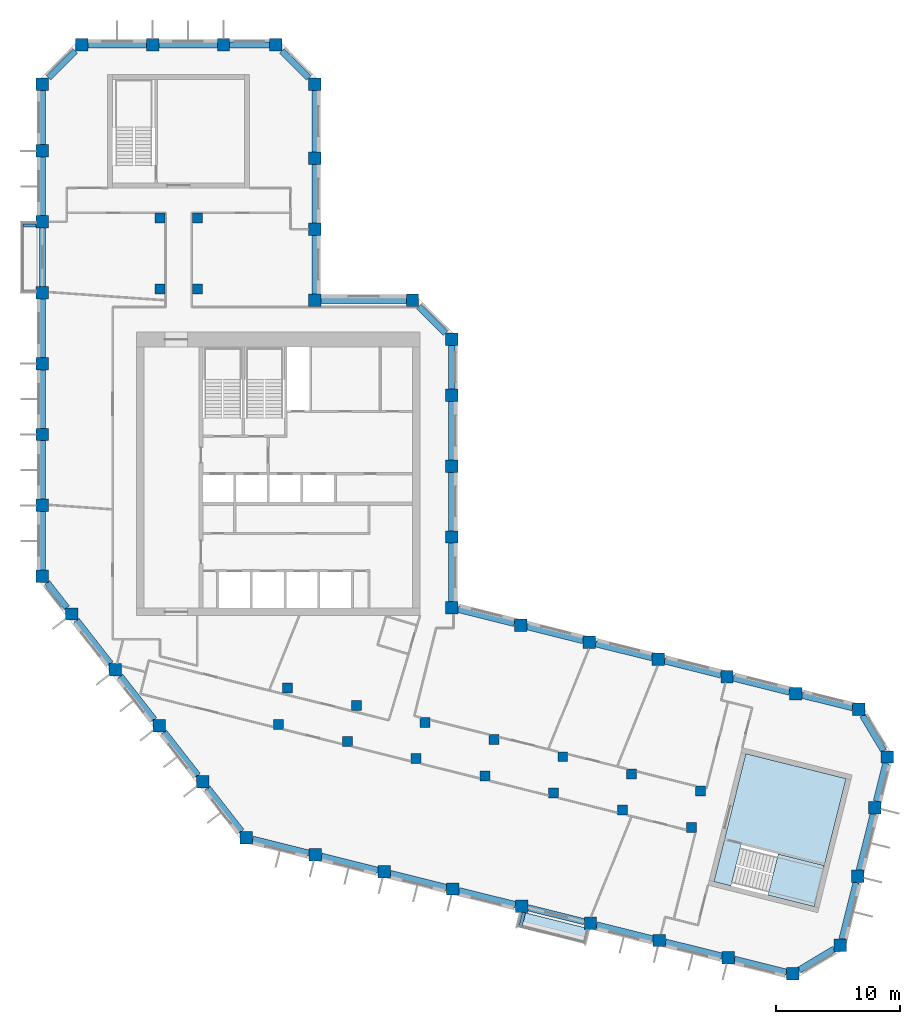
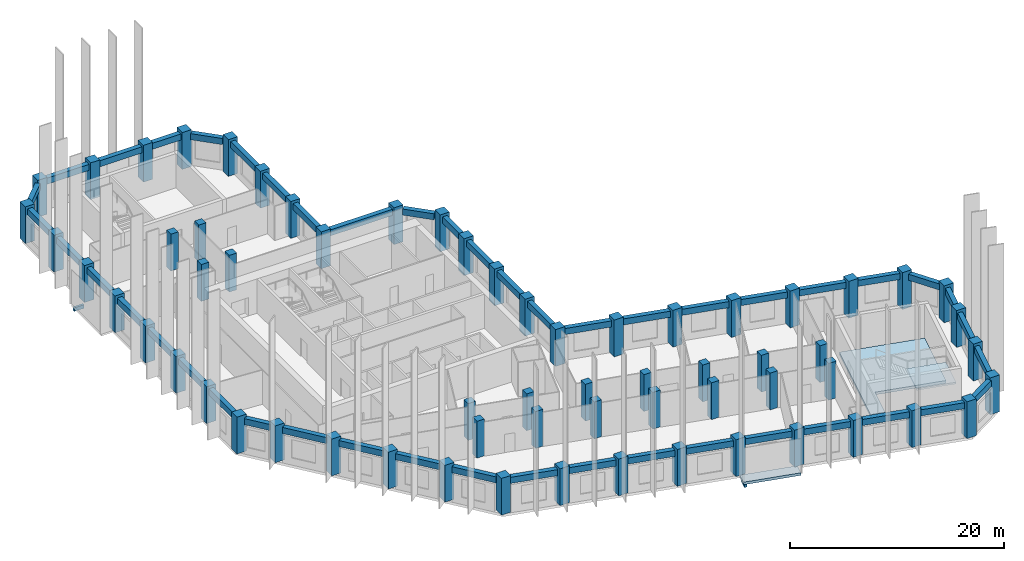
# One storey, part 1 of 9: 63 columns, 47 beams, 3 slabs, 1 element without a shape of its own.
"""IFC4 building model written with IfcOpenShell, lengths in metres."""

from ifc_helpers import new_model, si_unit, direction, frame, origin, origin_2d, place, context, subcontext, project, spatial, polyline, rectangle, outline, extrude, material, layer, layer_set, material_profile, profile_set, type_object, element, aggregate, save


model = new_model("IFC4")

# Units and contexts
model_context = context("Model", 3, precision=1e-05, world=origin(), true_north=direction((0.0, 1.0)))
body_context = subcontext(model_context, "Body", "Model", "MODEL_VIEW")
ifc_project = project(units=[si_unit("LENGTHUNIT", "METRE"), si_unit("AREAUNIT", "SQUARE_METRE"), si_unit("VOLUMEUNIT", "CUBIC_METRE"), si_unit("PLANEANGLEUNIT", "RADIAN"), si_unit("MASSUNIT", "GRAM", prefix="KILO")], contexts=[model_context])

# Site, building, storey
site_placement = place(None, origin())
site = spatial("IfcSite", under=ifc_project, at=site_placement, CompositionType="ELEMENT")
building_placement = place(site_placement, origin())
building = spatial("IfcBuilding", under=site, at=building_placement, Name="Meshkara Civic Tower", CompositionType="ELEMENT")
storey_placement = place(building_placement, frame((0.0, 0.0, 306.60009765625)))
storey = spatial("IfcBuildingStorey", under=building, at=storey_placement, Name="L70", CompositionType="ELEMENT", Elevation=306.60009765625)

# Columns
ifc_material_1 = material(Name="Concrete C60", Category="concrete")
ifc_material_profile_1 = material_profile(ifc_material_1, rectangle(XDim=0.800048828125, YDim=0.800048828125, at=origin_2d()))
ifc_profile_set_1 = profile_set([ifc_material_profile_1], Name="Concrete C60")
column_type_1 = type_object("IfcColumnType", Name="Interior column RC 800x800 C60", PredefinedType="COLUMN", material=ifc_profile_set_1)
for number, where, z_axis, x_axis, name in (
    (1, (9.89990234375, 40.35009765625, 0.0), (0.0, 0.0, 1.0), (1.0, 0.0, 0.0), "Column SA1-04 L70"),
    (2, (9.89990234375, 46.050048828125, 0.0), (0.0, 0.0, 1.0), (1.0, 0.0, 0.0), "Column SA1-05 L70"),
    (3, (12.89990234375, 40.35009765625, 0.0), (0.0, 0.0, 1.0), (1.0, 0.0, 0.0), "Column SA2-04 L70"),
    (4, (12.89990234375, 46.050048828125, 0.0), (0.0, 0.0, 1.0), (1.0, 0.0, 0.0), "Column SA2-05 L70"),
    (5, (19.424072265625, 5.360107421875, 0.0), (0.0, 0.0, 1.0), (1.0, 0.0, 0.0), "Column SB1-00 L70"),
    (6, (24.9541015625, 3.98095703125, 0.0), (0.0, 0.0, 1.0), (1.0, 0.0, 0.0), "Column SB1-01 L70"),
    (7, (30.485107421875, 2.60205078125, 0.0), (0.0, 0.0, 1.0), (1.0, 0.0, 0.0), "Column SB1-02 L70"),
    (8, (36.01611328125, 1.222900390625, 0.0), (0.0, 0.0, 1.0), (1.0, 0.0, 0.0), "Column SB1-03 L70"),
    (9, (41.5458984375, -0.156005859375, 0.0), (0.0, 0.0, 1.0), (1.0, 0.0, 0.0), "Column SB1-04 L70"),
    (10, (47.076904296875, -1.534912109375, 0.0), (0.0, 0.0, 1.0), (1.0, 0.0, 0.0), "Column SB1-05 L70"),
    (11, (52.60791015625, -2.9140625, 0.0), (0.0, 0.0, 1.0), (1.0, 0.0, 0.0), "Column SB1-06 L70"),
    (12, (20.14892578125, 8.27099609375, 0.0), (0.0, 0.0, 1.0), (1.0, 0.0, 0.0), "Column SB2-00 L70"),
    (13, (25.679931640625, 6.89208984375, 0.0), (0.0, 0.0, 1.0), (1.0, 0.0, 0.0), "Column SB2-01 L70"),
    (14, (31.2109375, 5.512939453125, 0.0), (0.0, 0.0, 1.0), (1.0, 0.0, 0.0), "Column SB2-02 L70"),
    (15, (36.741943359375, 4.134033203125, 0.0), (0.0, 0.0, 1.0), (1.0, 0.0, 0.0), "Column SB2-03 L70"),
    (16, (42.27197265625, 2.7548828125, 0.0), (0.0, 0.0, 1.0), (1.0, 0.0, 0.0), "Column SB2-04 L70"),
    (17, (47.802978515625, 1.3759765625, 0.0), (0.0, 0.0, 1.0), (1.0, 0.0, 0.0), "Column SB2-05 L70"),
    (18, (53.333984375, -0.0029296875, 0.0), (0.0, 0.0, 1.0), (1.0, 0.0, 0.0), "Column SB2-06 L70"),
):
    element("IfcColumn", number, at=place(storey_placement, frame(where, z_axis=z_axis, x_axis=x_axis)), inside=storey, type_object=column_type_1, Name=name, PredefinedType="COLUMN", context=body_context, shape_type="SweptSolid", body=[
        extrude(rectangle(XDim=0.800048828125, YDim=0.800048828125, at=origin_2d()), origin(), (0.0, 0.0, 1.0), 4.199951171875),
    ])
ifc_material_2 = material(Name="Concrete C60", Category="concrete")
ifc_material_profile_2 = material_profile(ifc_material_2, rectangle(XDim=1.0, YDim=1.0, at=origin_2d()))
ifc_profile_set_2 = profile_set([ifc_material_profile_2], Name="Concrete C60")
column_type_2 = type_object("IfcColumnType", Name="Perimeter column RC 1000x1000 C60", PredefinedType="COLUMN", material=ifc_profile_set_2)
for number, where, z_axis, x_axis, name in (
    (19, (33.35009765625, 14.718994140625, 0.0), (0.0, 0.0, 1.0), (1.0, 0.0, 0.0), "Column HE00 L70"),
    (20, (33.35009765625, 20.4189453125, 0.0), (0.0, 0.0, 1.0), (1.0, 0.0, 0.0), "Column HE01 L70"),
    (21, (33.35009765625, 26.118896484375, 0.0), (0.0, 0.0, 1.0), (1.0, 0.0, 0.0), "Column HE02 L70"),
    (22, (33.35009765625, 31.819091796875, 0.0), (0.0, 0.0, 1.0), (1.0, 0.0, 0.0), "Column HE03 L70"),
    (23, (33.35009765625, 36.2939453125, 0.0), (0.0, 0.0, 1.0), (1.0, 0.0, 0.0), "Column HEE L70"),
    (24, (30.194091796875, 39.449951171875, 0.0), (0.0, 0.0, 1.0), (1.0, 0.0, 0.0), "Column HCeE L70"),
    (25, (22.35009765625, 39.449951171875, 0.0), (0.0, 0.0, 1.0), (1.0, 0.0, 0.0), "Column HN00 L70"),
    (26, (22.35009765625, 45.14990234375, 0.0), (0.0, 0.0, 1.0), (1.0, 0.0, 0.0), "Column AE01 L70"),
    (27, (22.35009765625, 50.85009765625, 0.0), (0.0, 0.0, 1.0), (1.0, 0.0, 0.0), "Column AE02 L70"),
    (28, (22.35009765625, 56.81396484375, 0.0), (0.0, 0.0, 1.0), (1.0, 0.0, 0.0), "Column AEEP4 L70"),
    (29, (19.194091796875, 59.969970703125, 0.0), (0.0, 0.0, 1.0), (1.0, 0.0, 0.0), "Column ATiEP4 L70"),
    (30, (3.60595703125, 59.969970703125, 0.0), (0.0, 0.0, 1.0), (1.0, 0.0, 0.0), "Column AT00-P4 L70"),
    (31, (9.305908203125, 59.969970703125, 0.0), (0.0, 0.0, 1.0), (1.0, 0.0, 0.0), "Column AT01-P4 L70"),
    (32, (15.006103515625, 59.969970703125, 0.0), (0.0, 0.0, 1.0), (1.0, 0.0, 0.0), "Column AT02-P4 L70"),
    (33, (0.449951171875, 56.81396484375, 0.0), (0.0, 0.0, 1.0), (1.0, 0.0, 0.0), "Column ATo00-P4 L70"),
    (34, (0.449951171875, 17.2548828125, 0.0), (0.0, 0.0, 1.0), (1.0, 0.0, 0.0), "Column AW00 L70"),
    (35, (0.449951171875, 22.955078125, 0.0), (0.0, 0.0, 1.0), (1.0, 0.0, 0.0), "Column AW01 L70"),
    (36, (0.449951171875, 28.655029296875, 0.0), (0.0, 0.0, 1.0), (1.0, 0.0, 0.0), "Column AW02 L70"),
    (37, (0.449951171875, 34.35498046875, 0.0), (0.0, 0.0, 1.0), (1.0, 0.0, 0.0), "Column AW03 L70"),
    (38, (0.449951171875, 40.054931640625, 0.0), (0.0, 0.0, 1.0), (1.0, 0.0, 0.0), "Column AW04 L70"),
    (39, (0.449951171875, 45.7548828125, 0.0), (0.0, 0.0, 1.0), (1.0, 0.0, 0.0), "Column AW05 L70"),
    (40, (0.449951171875, 51.455078125, 0.0), (0.0, 0.0, 1.0), (1.0, 0.0, 0.0), "Column AW06 L70"),
    (41, (16.85107421875, -3.738037109375, 0.0), (0.0, 0.0, 1.0), (1.0, 0.0, 0.0), "Column BOW00 L70"),
    (42, (13.342041015625, 0.75390625, 0.0), (0.0, 0.0, 1.0), (1.0, 0.0, 0.0), "Column BOW01 L70"),
    (43, (9.8330078125, 5.2451171875, 0.0), (0.0, 0.0, 1.0), (1.0, 0.0, 0.0), "Column BOW02 L70"),
    (44, (6.322998046875, 9.737060546875, 0.0), (0.0, 0.0, 1.0), (1.0, 0.0, 0.0), "Column BOW03 L70"),
    (45, (2.81396484375, 14.22900390625, 0.0), (0.0, 0.0, 1.0), (1.0, 0.0, 0.0), "Column BOW04 L70"),
    (46, (22.382080078125, -5.116943359375, 0.0), (0.0, 0.0, 1.0), (1.0, 0.0, 0.0), "Column BS01 L70"),
    (47, (27.912109375, -6.49609375, 0.0), (0.0, 0.0, 1.0), (1.0, 0.0, 0.0), "Column BS02 L70"),
    (48, (33.443115234375, -7.875, 0.0), (0.0, 0.0, 1.0), (1.0, 0.0, 0.0), "Column BS03 L70"),
    (49, (38.97412109375, -9.25390625, 0.0), (0.0, 0.0, 1.0), (1.0, 0.0, 0.0), "Column BS04 L70"),
    (50, (44.50390625, -10.633056640625, 0.0), (0.0, 0.0, 1.0), (1.0, 0.0, 0.0), "Column BS05-P4 L70"),
    (51, (50.034912109375, -12.011962890625, 0.0), (0.0, 0.0, 1.0), (1.0, 0.0, 0.0), "Column BS06-P4 L70"),
    (52, (55.56591796875, -13.389892578125, 0.0), (0.0, 0.0, 1.0), (1.0, 0.0, 0.0), "Column BS07 L70"),
    (53, (60.76611328125, -14.68701171875, 0.0), (0.0, 0.0, 1.0), (1.0, 0.0, 0.0), "Column BSEP4 L70"),
    (54, (64.591064453125, -12.386962890625, 0.0), (0.0, 0.0, 1.0), (1.0, 0.0, 0.0), "Column BToEP4 L70"),
    (55, (65.969970703125, -6.85595703125, 0.0), (0.0, 0.0, 1.0), (1.0, 0.0, 0.0), "Column BT01-P4 L70"),
    (56, (67.34912109375, -1.325927734375, 0.0), (0.0, 0.0, 1.0), (1.0, 0.0, 0.0), "Column BT02-P4 L70"),
    (57, (68.362060546875, 2.736083984375, 0.0), (0.0, 0.0, 1.0), (1.0, 0.0, 0.0), "Column BTEP4 L70"),
    (58, (66.06298828125, 6.56201171875, 0.0), (0.0, 0.0, 1.0), (1.0, 0.0, 0.0), "Column BTi00-P4 L70"),
    (59, (38.881103515625, 13.340087890625, 0.0), (0.0, 0.0, 1.0), (1.0, 0.0, 0.0), "Column BN01 L70"),
    (60, (44.410888671875, 11.9609375, 0.0), (0.0, 0.0, 1.0), (1.0, 0.0, 0.0), "Column BN02 L70"),
    (61, (49.94189453125, 10.58203125, 0.0), (0.0, 0.0, 1.0), (1.0, 0.0, 0.0), "Column BN03 L70"),
    (62, (55.472900390625, 9.202880859375, 0.0), (0.0, 0.0, 1.0), (1.0, 0.0, 0.0), "Column BN04 L70"),
    (63, (61.0029296875, 7.823974609375, 0.0), (0.0, 0.0, 1.0), (1.0, 0.0, 0.0), "Column BN05 L70"),
):
    element("IfcColumn", number, at=place(storey_placement, frame(where, z_axis=z_axis, x_axis=x_axis)), inside=storey, type_object=column_type_2, Name=name, PredefinedType="COLUMN", context=body_context, shape_type="SweptSolid", body=[
        extrude(rectangle(XDim=1.0, YDim=1.0, at=origin_2d()), origin(), (0.0, 0.0, 1.0), 4.199951171875),
    ])

# Beams
ifc_material_3 = material(Name="Concrete C50", Category="concrete")
ifc_material_profile_3 = material_profile(ifc_material_3, rectangle(XDim=0.25, YDim=0.39990234375, at=origin_2d()))
ifc_profile_set_3 = profile_set([ifc_material_profile_3], Name="Concrete C50")
beam_type_1 = type_object("IfcBeamType", Name="Balcony bracket beam RC 250x400 C50", PredefinedType="BEAM", material=ifc_profile_set_3)
beam_1_placement = place(storey_placement, frame((-0.044921875, 45.455078125, -0.5), z_axis=(-1.0, 0.0, 0.0), x_axis=(0.0, -1.0, 0.0)))
element("IfcBeam", 64, at=beam_1_placement, inside=storey, type_object=beam_type_1, Name="Balcony bracket beam", PredefinedType="BEAM", context=body_context, shape_type="SweptSolid", body=[
    extrude(rectangle(XDim=0.25, YDim=0.39990234375, at=origin_2d()), origin(), (0.0, 0.0, 1.0), 1.05517578125),
])
beam_2_placement = place(storey_placement, frame((39.159912109375, -9.7490234375, -0.5), z_axis=(-0.242329403705, -0.970194032192, 0.0), x_axis=(0.970194032192, -0.242329403705, 0.0)))
element("IfcBeam", 65, at=beam_2_placement, inside=storey, type_object=beam_type_1, Name="Balcony bracket beam", PredefinedType="BEAM", context=body_context, shape_type="SweptSolid", body=[
    extrude(rectangle(XDim=0.25, YDim=0.39990234375, at=origin_2d()), origin(), (0.0, 0.0, 1.0), 1.1142578125),
])
ifc_material_4 = material(Name="Concrete C50", Category="concrete")
ifc_material_profile_4 = material_profile(ifc_material_4, rectangle(XDim=0.5, YDim=0.699951171875, at=origin_2d()))
ifc_profile_set_4 = profile_set([ifc_material_profile_4], Name="Concrete C50")
beam_type_2 = type_object("IfcBeamType", Name="Spandrel beam RC 500x700 C50", PredefinedType="BEAM", material=ifc_profile_set_4)
beam_3_placement = place(storey_placement, frame((60.5078125, 7.947509765625, 3.5498046875), z_axis=(-0.970286590806, 0.241958533023, 0.0), x_axis=(-0.241958533023, -0.970286590806, 0.0)))
element("IfcBeam", 66, at=beam_3_placement, inside=storey, type_object=beam_type_2, Name="Spandrel beam BN04-BN05", PredefinedType="BEAM", context=body_context, shape_type="SweptSolid", body=[
    extrude(rectangle(XDim=0.5, YDim=0.699951171875, at=origin_2d()), origin(), (0.0, 0.0, 1.0), 4.6787109375),
])
beam_4_placement = place(storey_placement, frame((54.977783203125, 9.326416015625, 3.5498046875), z_axis=(-0.970298806378, 0.241909541651, 0.0), x_axis=(-0.241909541651, -0.970298806378, 0.0)))
element("IfcBeam", 67, at=beam_4_placement, inside=storey, type_object=beam_type_2, Name="Spandrel beam BN03-BN04", PredefinedType="BEAM", context=body_context, shape_type="SweptSolid", body=[
    extrude(rectangle(XDim=0.5, YDim=0.699951171875, at=origin_2d()), origin(), (0.0, 0.0, 1.0), 4.6796875),
])
beam_5_placement = place(storey_placement, frame((49.447021484375, 10.70556640625, 3.5498046875), z_axis=(-0.970314102262, 0.241848181618, 0.0), x_axis=(-0.241848181618, -0.970314102262, 0.0)))
element("IfcBeam", 68, at=beam_5_placement, inside=storey, type_object=beam_type_2, Name="Spandrel beam BN02-BN03", PredefinedType="BEAM", context=body_context, shape_type="SweptSolid", body=[
    extrude(rectangle(XDim=0.5, YDim=0.699951171875, at=origin_2d()), origin(), (0.0, 0.0, 1.0), 4.679931640625),
])
beam_6_placement = place(storey_placement, frame((43.916015625, 12.08447265625, 3.5498046875), z_axis=(-0.970286590806, 0.241958533023, 0.0), x_axis=(-0.241958533023, -0.970286590806, 0.0)))
element("IfcBeam", 69, at=beam_6_placement, inside=storey, type_object=beam_type_2, Name="Spandrel beam BN01-BN02", PredefinedType="BEAM", context=body_context, shape_type="SweptSolid", body=[
    extrude(rectangle(XDim=0.5, YDim=0.699951171875, at=origin_2d()), origin(), (0.0, 0.0, 1.0), 4.6787109375),
])
beam_7_placement = place(storey_placement, frame((38.385986328125, 13.46337890625, 3.5498046875), z_axis=(-0.970298806378, 0.241909541651, 0.0), x_axis=(-0.241909541651, -0.970298806378, 0.0)))
element("IfcBeam", 70, at=beam_7_placement, inside=storey, type_object=beam_type_2, Name="Spandrel beam BN01-HE00", PredefinedType="BEAM", context=body_context, shape_type="SweptSolid", body=[
    extrude(rectangle(XDim=0.5, YDim=0.699951171875, at=origin_2d()), origin(), (0.0, 0.0, 1.0), 4.6796875),
])
for number, where, z_axis, x_axis, name in (
    (71, (33.35009765625, 15.214111328125, 3.5498046875), (0.0, 1.0, 0.0), (-1.0, 0.0, 0.0), "Spandrel beam HE00-HE01"),
    (72, (33.35009765625, 20.9140625, 3.5498046875), (0.0, 1.0, 0.0), (-1.0, 0.0, 0.0), "Spandrel beam HE01-HE02"),
    (73, (33.35009765625, 26.614013671875, 3.5498046875), (0.0, 1.0, 0.0), (-1.0, 0.0, 0.0), "Spandrel beam HE02-HE03"),
):
    element("IfcBeam", number, at=place(storey_placement, frame(where, z_axis=z_axis, x_axis=x_axis)), inside=storey, type_object=beam_type_2, Name=name, PredefinedType="BEAM", context=body_context, shape_type="SweptSolid", body=[
        extrude(rectangle(XDim=0.5, YDim=0.699951171875, at=origin_2d()), origin(), (0.0, 0.0, 1.0), 4.7099609375),
    ])
beam_8_placement = place(storey_placement, frame((33.35009765625, 32.31396484375, 3.5498046875), z_axis=(0.0, 1.0, 0.0), x_axis=(-1.0, 0.0, 0.0)))
element("IfcBeam", 74, at=beam_8_placement, inside=storey, type_object=beam_type_2, Name="Spandrel beam HE03-HEE", PredefinedType="BEAM", context=body_context, shape_type="SweptSolid", body=[
    extrude(rectangle(XDim=0.5, YDim=0.699951171875, at=origin_2d()), origin(), (0.0, 0.0, 1.0), 3.485107421875),
])
beam_9_placement = place(storey_placement, frame((32.853515625, 36.79052734375, 3.5498046875), z_axis=(-0.707106781187, 0.707106781187, 0.0), x_axis=(-0.707106781187, -0.707106781187, 0.0)))
element("IfcBeam", 75, at=beam_9_placement, inside=storey, type_object=beam_type_2, Name="Spandrel beam HCeE-HEE", PredefinedType="BEAM", context=body_context, shape_type="SweptSolid", body=[
    extrude(rectangle(XDim=0.5, YDim=0.699951171875, at=origin_2d()), origin(), (0.0, 0.0, 1.0), 3.05908203125),
])
beam_10_placement = place(storey_placement, frame((29.698974609375, 39.449951171875, 3.5498046875), z_axis=(-1.0, 0.0, 0.0), x_axis=(0.0, -1.0, 0.0)))
element("IfcBeam", 76, at=beam_10_placement, inside=storey, type_object=beam_type_2, Name="Spandrel beam HCeE-HN00", PredefinedType="BEAM", context=body_context, shape_type="SweptSolid", body=[
    extrude(rectangle(XDim=0.5, YDim=0.699951171875, at=origin_2d()), origin(), (0.0, 0.0, 1.0), 6.85400390625),
])
for number, where, z_axis, x_axis, name in (
    (77, (22.35009765625, 39.945068359375, 3.5498046875), (0.0, 1.0, 0.0), (-1.0, 0.0, 0.0), "Spandrel beam AE01-HN00"),
    (78, (22.35009765625, 45.64501953125, 3.5498046875), (0.0, 1.0, 0.0), (-1.0, 0.0, 0.0), "Spandrel beam AE01-AE02"),
):
    element("IfcBeam", number, at=place(storey_placement, frame(where, z_axis=z_axis, x_axis=x_axis)), inside=storey, type_object=beam_type_2, Name=name, PredefinedType="BEAM", context=body_context, shape_type="SweptSolid", body=[
        extrude(rectangle(XDim=0.5, YDim=0.699951171875, at=origin_2d()), origin(), (0.0, 0.0, 1.0), 4.7099609375),
    ])
beam_11_placement = place(storey_placement, frame((22.35009765625, 51.344970703125, 3.5498046875), z_axis=(0.0, 1.0, 0.0), x_axis=(-1.0, 0.0, 0.0)))
element("IfcBeam", 79, at=beam_11_placement, inside=storey, type_object=beam_type_2, Name="Spandrel beam AE02-AEEP4", PredefinedType="BEAM", context=body_context, shape_type="SweptSolid", body=[
    extrude(rectangle(XDim=0.5, YDim=0.699951171875, at=origin_2d()), origin(), (0.0, 0.0, 1.0), 4.97412109375),
])
beam_12_placement = place(storey_placement, frame((21.853515625, 57.310546875, 3.5498046875), z_axis=(-0.707146686758, 0.707066873363, 0.0), x_axis=(-0.707066873363, -0.707146686758, 0.0)))
element("IfcBeam", 80, at=beam_12_placement, inside=storey, type_object=beam_type_2, Name="Spandrel beam AEEP4-ATiEP4", PredefinedType="BEAM", context=body_context, shape_type="SweptSolid", body=[
    extrude(rectangle(XDim=0.5, YDim=0.699951171875, at=origin_2d()), origin(), (0.0, 0.0, 1.0), 3.058837890625),
])
beam_13_placement = place(storey_placement, frame((18.698974609375, 59.969970703125, 3.5498046875), z_axis=(-1.0, 0.0, 0.0), x_axis=(0.0, -1.0, 0.0)))
element("IfcBeam", 81, at=beam_13_placement, inside=storey, type_object=beam_type_2, Name="Spandrel beam AT02-P4-ATiEP4", PredefinedType="BEAM", context=body_context, shape_type="SweptSolid", body=[
    extrude(rectangle(XDim=0.5, YDim=0.699951171875, at=origin_2d()), origin(), (0.0, 0.0, 1.0), 3.197998046875),
])
for number, where, z_axis, x_axis, name in (
    (82, (14.510986328125, 59.969970703125, 3.5498046875), (-1.0, 0.0, 0.0), (0.0, -1.0, 0.0), "Spandrel beam AT01-P4-AT02-P4"),
    (83, (8.81103515625, 59.969970703125, 3.5498046875), (-1.0, 0.0, 0.0), (0.0, -1.0, 0.0), "Spandrel beam AT00-P4-AT01-P4"),
):
    element("IfcBeam", number, at=place(storey_placement, frame(where, z_axis=z_axis, x_axis=x_axis)), inside=storey, type_object=beam_type_2, Name=name, PredefinedType="BEAM", context=body_context, shape_type="SweptSolid", body=[
        extrude(rectangle(XDim=0.5, YDim=0.699951171875, at=origin_2d()), origin(), (0.0, 0.0, 1.0), 4.7099609375),
    ])
beam_14_placement = place(storey_placement, frame((3.109619140625, 59.473388671875, 3.5498046875), z_axis=(-0.707146686758, -0.707066873363, 0.0), x_axis=(0.707066873363, -0.707146686758, 0.0)))
element("IfcBeam", 84, at=beam_14_placement, inside=storey, type_object=beam_type_2, Name="Spandrel beam AT00-P4-ATo00-P4", PredefinedType="BEAM", context=body_context, shape_type="SweptSolid", body=[
    extrude(rectangle(XDim=0.5, YDim=0.699951171875, at=origin_2d()), origin(), (0.0, 0.0, 1.0), 3.058837890625),
])
beam_15_placement = place(storey_placement, frame((0.449951171875, 56.319091796875, 3.5498046875), z_axis=(0.0, -1.0, 0.0), x_axis=(1.0, 0.0, 0.0)))
element("IfcBeam", 85, at=beam_15_placement, inside=storey, type_object=beam_type_2, Name="Spandrel beam ATo00-P4-AW06", PredefinedType="BEAM", context=body_context, shape_type="SweptSolid", body=[
    extrude(rectangle(XDim=0.5, YDim=0.699951171875, at=origin_2d()), origin(), (0.0, 0.0, 1.0), 4.369140625),
])
for number, where, z_axis, x_axis, name in (
    (86, (0.449951171875, 50.9599609375, 3.5498046875), (0.0, -1.0, 0.0), (1.0, 0.0, 0.0), "Spandrel beam AW05-AW06"),
    (87, (0.449951171875, 45.260009765625, 3.5498046875), (0.0, -1.0, 0.0), (1.0, 0.0, 0.0), "Spandrel beam AW04-AW05"),
    (88, (0.449951171875, 39.56005859375, 3.5498046875), (0.0, -1.0, 0.0), (1.0, 0.0, 0.0), "Spandrel beam AW03-AW04"),
):
    element("IfcBeam", number, at=place(storey_placement, frame(where, z_axis=z_axis, x_axis=x_axis)), inside=storey, type_object=beam_type_2, Name=name, PredefinedType="BEAM", context=body_context, shape_type="SweptSolid", body=[
        extrude(rectangle(XDim=0.5, YDim=0.699951171875, at=origin_2d()), origin(), (0.0, 0.0, 1.0), 4.7099609375),
    ])
beam_16_placement = place(storey_placement, frame((0.449951171875, 33.860107421875, 3.5498046875), z_axis=(0.0, -1.0, 0.0), x_axis=(1.0, 0.0, 0.0)))
element("IfcBeam", 89, at=beam_16_placement, inside=storey, type_object=beam_type_2, Name="Spandrel beam AW02-AW03", PredefinedType="BEAM", context=body_context, shape_type="SweptSolid", body=[
    extrude(rectangle(XDim=0.5, YDim=0.699951171875, at=origin_2d()), origin(), (0.0, 0.0, 1.0), 4.710205078125),
])
for number, where, z_axis, x_axis, name in (
    (90, (0.449951171875, 28.159912109375, 3.5498046875), (0.0, -1.0, 0.0), (1.0, 0.0, 0.0), "Spandrel beam AW01-AW02"),
    (91, (0.449951171875, 22.4599609375, 3.5498046875), (0.0, -1.0, 0.0), (1.0, 0.0, 0.0), "Spandrel beam AW00-AW01"),
):
    element("IfcBeam", number, at=place(storey_placement, frame(where, z_axis=z_axis, x_axis=x_axis)), inside=storey, type_object=beam_type_2, Name=name, PredefinedType="BEAM", context=body_context, shape_type="SweptSolid", body=[
        extrude(rectangle(XDim=0.5, YDim=0.699951171875, at=origin_2d()), origin(), (0.0, 0.0, 1.0), 4.7099609375),
    ])
beam_17_placement = place(storey_placement, frame((0.83740234375, 16.7587890625, 3.5498046875), z_axis=(0.615713794912, -0.787969874269, 0.0), x_axis=(0.787969874269, 0.615713794912, 0.0)))
element("IfcBeam", 92, at=beam_17_placement, inside=storey, type_object=beam_type_2, Name="Spandrel beam AW00-BOW04", PredefinedType="BEAM", context=body_context, shape_type="SweptSolid", body=[
    extrude(rectangle(XDim=0.5, YDim=0.699951171875, at=origin_2d()), origin(), (0.0, 0.0, 1.0), 2.580810546875),
])
beam_18_placement = place(storey_placement, frame((3.201416015625, 13.73291015625, 3.5498046875), z_axis=(0.615636574491, -0.788030207637, 0.0), x_axis=(0.788030207637, 0.615636574491, 0.0)))
element("IfcBeam", 93, at=beam_18_placement, inside=storey, type_object=beam_type_2, Name="Spandrel beam BOW03-BOW04", PredefinedType="BEAM", context=body_context, shape_type="SweptSolid", body=[
    extrude(rectangle(XDim=0.5, YDim=0.699951171875, at=origin_2d()), origin(), (0.0, 0.0, 1.0), 4.441162109375),
])
beam_19_placement = place(storey_placement, frame((6.710693359375, 9.240966796875, 3.5498046875), z_axis=(0.615704842432, -0.787976869588, 0.0), x_axis=(0.787976869588, 0.615704842432, 0.0)))
element("IfcBeam", 94, at=beam_19_placement, inside=storey, type_object=beam_type_2, Name="Spandrel beam BOW02-BOW03", PredefinedType="BEAM", context=body_context, shape_type="SweptSolid", body=[
    extrude(rectangle(XDim=0.5, YDim=0.699951171875, at=origin_2d()), origin(), (0.0, 0.0, 1.0), 4.44140625),
])
beam_20_placement = place(storey_placement, frame((10.220703125, 4.748779296875, 3.5498046875), z_axis=(0.615674985547, -0.788000198078, 0.0), x_axis=(0.788000198078, 0.615674985547, 0.0)))
element("IfcBeam", 95, at=beam_20_placement, inside=storey, type_object=beam_type_2, Name="Spandrel beam BOW01-BOW02", PredefinedType="BEAM", context=body_context, shape_type="SweptSolid", body=[
    extrude(rectangle(XDim=0.5, YDim=0.699951171875, at=origin_2d()), origin(), (0.0, 0.0, 1.0), 4.440185546875),
])
beam_21_placement = place(storey_placement, frame((13.7294921875, 0.2578125, 3.5498046875), z_axis=(0.615602435322, -0.788056877151, 0.0), x_axis=(0.788056877151, 0.615602435322, 0.0)))
element("IfcBeam", 96, at=beam_21_placement, inside=storey, type_object=beam_type_2, Name="Spandrel beam BOW00-BOW01", PredefinedType="BEAM", context=body_context, shape_type="SweptSolid", body=[
    extrude(rectangle(XDim=0.5, YDim=0.699951171875, at=origin_2d()), origin(), (0.0, 0.0, 1.0), 4.44091796875),
])
beam_22_placement = place(storey_placement, frame((17.34619140625, -3.861572265625, 3.5498046875), z_axis=(0.970311050729, -0.24186042428, 0.0), x_axis=(0.24186042428, 0.970311050729, 0.0)))
element("IfcBeam", 97, at=beam_22_placement, inside=storey, type_object=beam_type_2, Name="Spandrel beam BOW00-BS01", PredefinedType="BEAM", context=body_context, shape_type="SweptSolid", body=[
    extrude(rectangle(XDim=0.5, YDim=0.699951171875, at=origin_2d()), origin(), (0.0, 0.0, 1.0), 4.6796875),
])
beam_23_placement = place(storey_placement, frame((22.877197265625, -5.240478515625, 3.5498046875), z_axis=(0.970286590806, -0.241958533023, 0.0), x_axis=(0.241958533023, 0.970286590806, 0.0)))
element("IfcBeam", 98, at=beam_23_placement, inside=storey, type_object=beam_type_2, Name="Spandrel beam BS01-BS02", PredefinedType="BEAM", context=body_context, shape_type="SweptSolid", body=[
    extrude(rectangle(XDim=0.5, YDim=0.699951171875, at=origin_2d()), origin(), (0.0, 0.0, 1.0), 4.6787109375),
])
for number, where, z_axis, x_axis, name in (
    (99, (28.406982421875, -6.619384765625, 3.5498046875), (0.970301859111, -0.241897296812, 0.0), (0.241897296812, 0.970301859111, 0.0), "Spandrel beam BS02-BS03"),
    (100, (33.93798828125, -7.99853515625, 3.5498046875), (0.970301859111, -0.241897296812, 0.0), (0.241897296812, 0.970301859111, 0.0), "Spandrel beam BS03-BS04"),
):
    element("IfcBeam", number, at=place(storey_placement, frame(where, z_axis=z_axis, x_axis=x_axis)), inside=storey, type_object=beam_type_2, Name=name, PredefinedType="BEAM", context=body_context, shape_type="SweptSolid", body=[
        extrude(rectangle(XDim=0.5, YDim=0.699951171875, at=origin_2d()), origin(), (0.0, 0.0, 1.0), 4.679931640625),
    ])
beam_24_placement = place(storey_placement, frame((39.468994140625, -9.37744140625, 3.5498046875), z_axis=(0.970286590806, -0.241958533023, 0.0), x_axis=(0.241958533023, 0.970286590806, 0.0)))
element("IfcBeam", 101, at=beam_24_placement, inside=storey, type_object=beam_type_2, Name="Spandrel beam BS04-BS05-P4", PredefinedType="BEAM", context=body_context, shape_type="SweptSolid", body=[
    extrude(rectangle(XDim=0.5, YDim=0.699951171875, at=origin_2d()), origin(), (0.0, 0.0, 1.0), 4.6787109375),
])
beam_25_placement = place(storey_placement, frame((44.9990234375, -10.756591796875, 3.5498046875), z_axis=(0.970311050729, -0.24186042428, 0.0), x_axis=(0.24186042428, 0.970311050729, 0.0)))
element("IfcBeam", 102, at=beam_25_placement, inside=storey, type_object=beam_type_2, Name="Spandrel beam BS05-P4-BS06-P4", PredefinedType="BEAM", context=body_context, shape_type="SweptSolid", body=[
    extrude(rectangle(XDim=0.5, YDim=0.699951171875, at=origin_2d()), origin(), (0.0, 0.0, 1.0), 4.6796875),
])
beam_26_placement = place(storey_placement, frame((50.530029296875, -12.135498046875, 3.5498046875), z_axis=(0.970347770718, -0.241713061011, 0.0), x_axis=(0.241713061011, 0.970347770718, 0.0)))
element("IfcBeam", 103, at=beam_26_placement, inside=storey, type_object=beam_type_2, Name="Spandrel beam BS06-P4-BS07", PredefinedType="BEAM", context=body_context, shape_type="SweptSolid", body=[
    extrude(rectangle(XDim=0.5, YDim=0.699951171875, at=origin_2d()), origin(), (0.0, 0.0, 1.0), 4.679443359375),
])
beam_27_placement = place(storey_placement, frame((56.06103515625, -13.513427734375, 3.5498046875), z_axis=(0.970274749447, -0.242006013533, 0.0), x_axis=(0.242006013533, 0.970274749447, 0.0)))
element("IfcBeam", 104, at=beam_27_placement, inside=storey, type_object=beam_type_2, Name="Spandrel beam BS07-BSEP4", PredefinedType="BEAM", context=body_context, shape_type="SweptSolid", body=[
    extrude(rectangle(XDim=0.5, YDim=0.699951171875, at=origin_2d()), origin(), (0.0, 0.0, 1.0), 4.3388671875),
])
beam_28_placement = place(storey_placement, frame((61.26171875, -14.388916015625, 3.5498046875), z_axis=(0.856990838189, 0.515331643953, 0.0), x_axis=(-0.515331643953, 0.856990838189, 0.0)))
element("IfcBeam", 105, at=beam_28_placement, inside=storey, type_object=beam_type_2, Name="Spandrel beam BSEP4-BToEP4", PredefinedType="BEAM", context=body_context, shape_type="SweptSolid", body=[
    extrude(rectangle(XDim=0.5, YDim=0.699951171875, at=origin_2d()), origin(), (0.0, 0.0, 1.0), 3.306396484375),
])
beam_29_placement = place(storey_placement, frame((64.714599609375, -11.891845703125, 3.5498046875), z_axis=(0.24186042428, 0.970311050729, 0.0), x_axis=(-0.970311050729, 0.24186042428, 0.0)))
element("IfcBeam", 106, at=beam_29_placement, inside=storey, type_object=beam_type_2, Name="Spandrel beam BT01-P4-BToEP4", PredefinedType="BEAM", context=body_context, shape_type="SweptSolid", body=[
    extrude(rectangle(XDim=0.5, YDim=0.699951171875, at=origin_2d()), origin(), (0.0, 0.0, 1.0), 4.6796875),
])
beam_30_placement = place(storey_placement, frame((66.093505859375, -6.36083984375, 3.5498046875), z_axis=(0.241958533023, 0.970286590806, 0.0), x_axis=(-0.970286590806, 0.241958533023, 0.0)))
element("IfcBeam", 107, at=beam_30_placement, inside=storey, type_object=beam_type_2, Name="Spandrel beam BT01-P4-BT02-P4", PredefinedType="BEAM", context=body_context, shape_type="SweptSolid", body=[
    extrude(rectangle(XDim=0.5, YDim=0.699951171875, at=origin_2d()), origin(), (0.0, 0.0, 1.0), 4.6787109375),
])
beam_31_placement = place(storey_placement, frame((67.472412109375, -0.830810546875, 3.5498046875), z_axis=(0.241991235859, 0.970278435176, 0.0), x_axis=(-0.970278435176, 0.241991235859, 0.0)))
element("IfcBeam", 108, at=beam_31_placement, inside=storey, type_object=beam_type_2, Name="Spandrel beam BT02-P4-BTEP4", PredefinedType="BEAM", context=body_context, shape_type="SweptSolid", body=[
    extrude(rectangle(XDim=0.5, YDim=0.699951171875, at=origin_2d()), origin(), (0.0, 0.0, 1.0), 3.165771484375),
])
beam_32_placement = place(storey_placement, frame((68.064208984375, 3.231689453125, 3.5498046875), z_axis=(-0.515060169575, 0.8571540245, 0.0), x_axis=(-0.8571540245, -0.515060169575, 0.0)))
element("IfcBeam", 109, at=beam_32_placement, inside=storey, type_object=beam_type_2, Name="Spandrel beam BTEP4-BTi00-P4", PredefinedType="BEAM", context=body_context, shape_type="SweptSolid", body=[
    extrude(rectangle(XDim=0.5, YDim=0.699951171875, at=origin_2d()), origin(), (0.0, 0.0, 1.0), 3.30712890625),
])
beam_33_placement = place(storey_placement, frame((65.56787109375, 6.685546875, 3.5498046875), z_axis=(-0.970286131512, 0.241960374847, 0.0), x_axis=(-0.241960374847, -0.970286131512, 0.0)))
element("IfcBeam", 110, at=beam_33_placement, inside=storey, type_object=beam_type_2, Name="Spandrel beam BN05-BTi00-P4", PredefinedType="BEAM", context=body_context, shape_type="SweptSolid", body=[
    extrude(rectangle(XDim=0.5, YDim=0.699951171875, at=origin_2d()), origin(), (0.0, 0.0, 1.0), 4.1943359375),
])

# Slabs
ifc_material_5 = material(Name="Concrete C40", Category="concrete")
ifc_layer_1 = layer(ifc_material_5, 0.300048828125)
ifc_layer_set_1 = layer_set([ifc_layer_1], Name="BALCONY SLAB")
slab_type_1 = type_object("IfcSlabType", Name="BALCONY SLAB", PredefinedType="FLOOR", material=ifc_layer_set_1)
slab_1_placement = place(storey_placement, frame((0.0, 0.0, -0.300048828125)))
element("IfcSlab", 111, at=slab_1_placement, inside=storey, type_object=slab_type_1, Name="Balcony slab", PredefinedType="FLOOR", context=body_context, shape_type="SweptSolid", body=[
    extrude(outline(polyline([(44.047119140625, -12.218994140625), (38.633056640625, -10.868896484375), (38.910888671875, -9.75390625), (39.1201171875, -9.75390625), (44.00390625, -10.971923828125), (44.00390625, -11.133056640625), (44.31689453125, -11.133056640625), (44.047119140625, -12.218994140625)])), origin(), (0.0, 0.0, 1.0), 0.300048828125),
])
ifc_material_6 = material(Name="Concrete C40/50", Category="concrete")
ifc_layer_2 = layer(ifc_material_6, 0.300048828125)
ifc_layer_set_2 = layer_set([ifc_layer_2], Name="Core floor slab 300 C40/50")
slab_type_2 = type_object("IfcSlabType", Name="Core floor slab 300 C40/50", PredefinedType="FLOOR", material=ifc_layer_set_2)
slab_2_placement = place(storey_placement, frame((0.0, 0.0, -0.300048828125)))
element("IfcSlab", 112, at=slab_2_placement, inside=storey, type_object=slab_type_2, Name="Core floor EB", PredefinedType="FLOOR", context=body_context, shape_type="SweptSolid", body=[
    extrude(outline(polyline([(56.989013671875, 3.002197265625), (65.04248046875, 0.994384765625), (63.30078125, -5.99169921875), (56.607177734375, -4.322998046875), (55.78466796875, -7.621826171875), (54.4248046875, -7.282958984375), (56.989013671875, 3.002197265625)])), origin(), (0.0, 0.0, 1.0), 0.300048828125),
])

# Stair, slab
ifc_material_7 = material(Name="Precast concrete C40/50", Category="concrete")
stair_type = type_object("IfcStairType", Name="Exit stair half-turn 24 risers precast", PredefinedType="HALF_TURN_STAIR", material=ifc_material_7)
stair_placement = place(storey_placement, origin())
stair = element("IfcStair", 113, at=stair_placement, inside=storey, type_object=stair_type, Name="L70 exit stair B from L65", PredefinedType="HALF_TURN_STAIR")
ifc_material_8 = material(Name="Precast concrete C40/50", Category="concrete")
ifc_layer_3 = layer(ifc_material_8, 0.199951171875)
ifc_layer_set_3 = layer_set([ifc_layer_3], Name="Exit stair landing 200")
slab_type_3 = type_object("IfcSlabType", Name="Exit stair landing 200", PredefinedType="LANDING", material=ifc_layer_set_3)
slab_3_placement = place(storey_placement, frame((0.0, 0.0, 1.89990234375)))
slab_3 = element("IfcSlab", 114, at=slab_3_placement, type_object=slab_type_3, Name="ESB5 landing 1", PredefinedType="LANDING", context=body_context, shape_type="SweptSolid", body=[
    extrude(outline(polyline([(58.769775390625, -8.366943359375), (62.477783203125, -9.2919921875), (63.301025390625, -5.991943359375), (59.593017578125, -5.06689453125), (58.769775390625, -8.366943359375)])), origin(), (0.0, 0.0, 1.0), 0.199951171875),
])
aggregate(stair, [slab_3])

save(model, "model.ifc")
